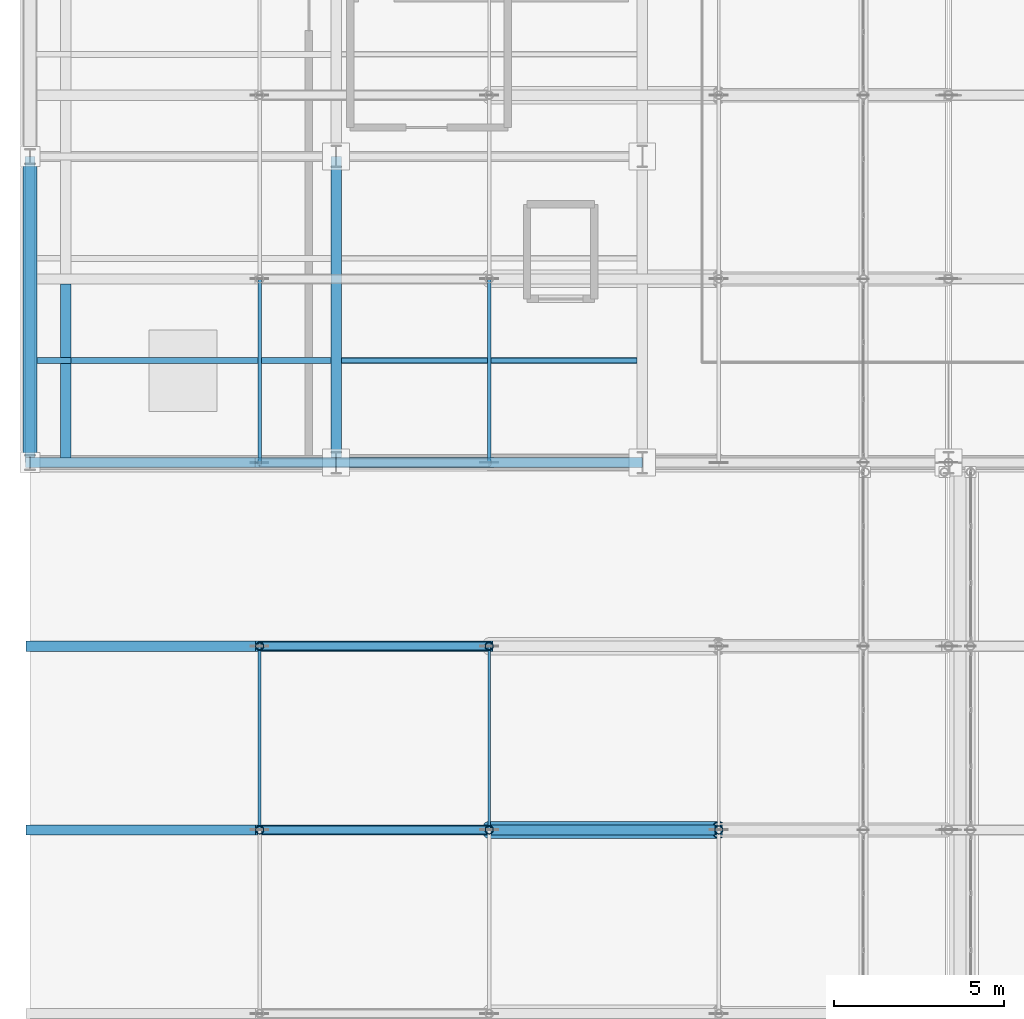
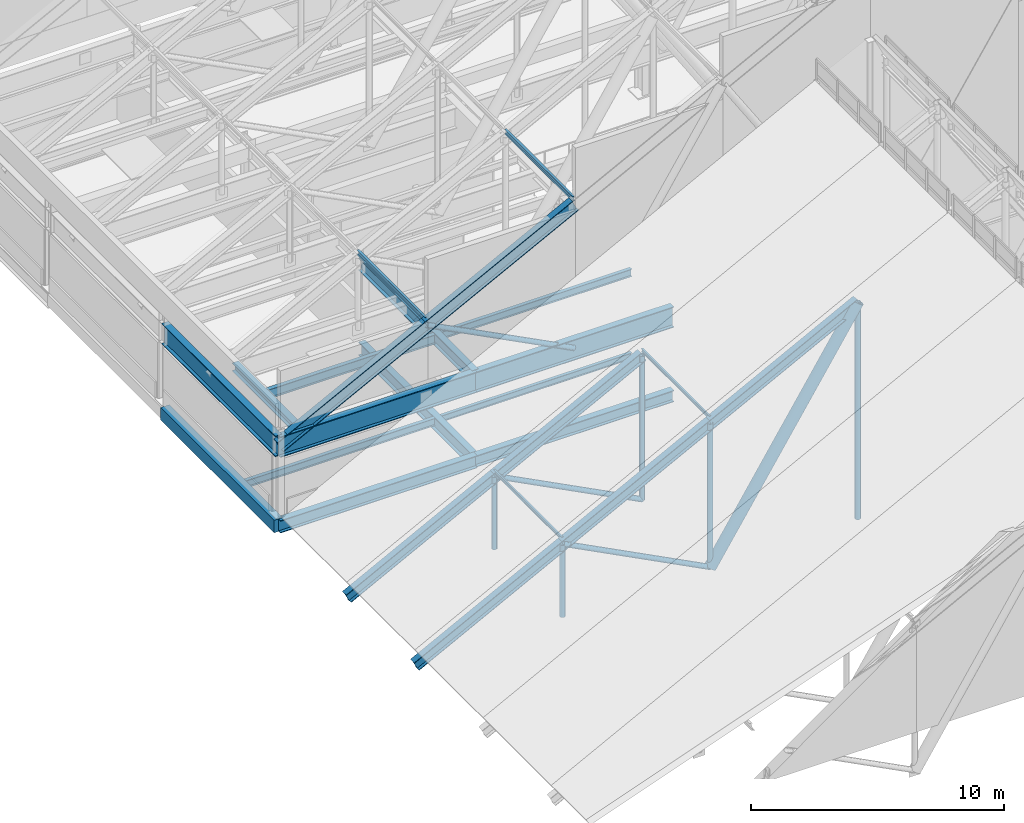
# One storey, part 17 of 84: 20 members, 13 beams.
"""IFC4 building model written with IfcOpenShell, lengths in metres."""

from ifc_helpers import new_model, si_unit, direction, frame, origin, origin_2d, place, context, subcontext, project, spatial, rectangle, hollow_circle, i_section, extrude, material, material_profile, profile_set, type_object, element, save


model = new_model("IFC4")

# Units and contexts
model_context = context("Model", 3, precision=1e-05, world=origin(), true_north=direction((0.0, 1.0)))
body_context = subcontext(model_context, "Body", "Model", "MODEL_VIEW")
ifc_project = project(units=[si_unit("LENGTHUNIT", "METRE"), si_unit("AREAUNIT", "SQUARE_METRE"), si_unit("VOLUMEUNIT", "CUBIC_METRE"), si_unit("PLANEANGLEUNIT", "RADIAN"), si_unit("MASSUNIT", "GRAM", prefix="KILO")], contexts=[model_context])

# Site, building, storey
site_placement = place(None, origin())
site = spatial("IfcSite", under=ifc_project, at=site_placement, CompositionType="ELEMENT")
building_placement = place(site_placement, origin())
building = spatial("IfcBuilding", under=site, at=building_placement, Name="Sundgate Opera House", CompositionType="ELEMENT")
storey_placement = place(building_placement, frame((0.0, 0.0, 30.60009765625)))
storey = spatial("IfcBuildingStorey", under=building, at=storey_placement, Name="L06", CompositionType="ELEMENT", Elevation=30.60009765625)

# Beams
ifc_material_1 = material(Name="Steel S355J2", Category="steel")
ifc_material_profile_1 = material_profile(ifc_material_1, i_section(OverallWidth=0.300048828125, OverallDepth=0.389892578125, WebThickness=0.010986328125, FlangeThickness=0.01904296875, at=origin_2d()), Name="HEA 400")
ifc_profile_set_1 = profile_set([ifc_material_profile_1], Name="Steel S355J2")
beam_type_1 = type_object("IfcBeamType", Name="BM-GR-HEA400", PredefinedType="BEAM", material=ifc_profile_set_1)
beam_1_placement = place(storey_placement, frame((28.050048828125, 60.1298828125, 3.58984375), z_axis=(0.0, 1.0, 0.0), x_axis=(-1.0, 0.0, 0.0)))
element("IfcBeam", 1, at=beam_1_placement, inside=storey, type_object=beam_type_1, Name="L06 Gridiron Deck Edge Girder B3293", PredefinedType="BEAM", context=body_context, shape_type="SweptSolid", body=[
    extrude(i_section(OverallWidth=0.300048828125, OverallDepth=0.389892578125, WebThickness=0.010986328125, FlangeThickness=0.01904296875, at=origin_2d()), origin(), (0.0, 0.0, 1.0), 5.1201171875),
])
ifc_material_2 = material(Name="Steel S355J2", Category="steel")
ifc_material_profile_2 = material_profile(ifc_material_2, i_section(OverallWidth=0.300048828125, OverallDepth=0.550048828125, WebThickness=0.014892578125, FlangeThickness=0.029052734375, at=origin_2d()), Name="HEB 550")
ifc_profile_set_2 = profile_set([ifc_material_profile_2], Name="Steel S355J2")
beam_type_2 = type_object("IfcBeamType", Name="BM-GR-HEB550", PredefinedType="BEAM", material=ifc_profile_set_2)
beam_2_placement = place(storey_placement, frame((36.0, 60.0, -0.53515625), z_axis=(1.0, 0.0, 0.0), x_axis=(0.0, 1.0, 0.0)))
element("IfcBeam", 2, at=beam_2_placement, inside=storey, type_object=beam_type_2, Name="L06 Primary E-W Girder B3219", PredefinedType="BEAM", context=body_context, shape_type="SweptSolid", body=[
    extrude(i_section(OverallWidth=0.300048828125, OverallDepth=0.550048828125, WebThickness=0.014892578125, FlangeThickness=0.029052734375, at=origin_2d()), origin(), (0.0, 0.0, 1.0), 9.0),
])
ifc_material_3 = material(Name="Steel S355J2", Category="steel")
ifc_material_profile_3 = material_profile(ifc_material_3, i_section(OverallWidth=0.300048828125, OverallDepth=0.60009765625, WebThickness=0.015380859375, FlangeThickness=0.030029296875, at=origin_2d()), Name="HEB 600")
ifc_profile_set_3 = profile_set([ifc_material_profile_3], Name="Steel S355J2")
beam_type_3 = type_object("IfcBeamType", Name="BM-GR-HEB600", PredefinedType="BEAM", material=ifc_profile_set_3)
for number, where, z_axis, x_axis, name in (
    (3, (27.0, 60.0, -0.56005859375), (1.0, 0.0, 0.0), (0.0, 1.0, 0.0), "L06 Primary E-W Girder B3218"),
    (4, (36.0, 60.0, 3.5), (0.0, 1.0, 0.0), (-1.0, 0.0, 0.0), "L06 Primary N-S Girder B3270"),
):
    element("IfcBeam", number, at=place(storey_placement, frame(where, z_axis=z_axis, x_axis=x_axis)), inside=storey, type_object=beam_type_3, Name=name, PredefinedType="BEAM", context=body_context, shape_type="SweptSolid", body=[
        extrude(i_section(OverallWidth=0.300048828125, OverallDepth=0.60009765625, WebThickness=0.015380859375, FlangeThickness=0.030029296875, at=origin_2d()), origin(), (0.0, 0.0, 1.0), 9.0),
    ])
ifc_material_4 = material(Name="Steel S355J2", Category="steel")
ifc_material_profile_4 = material_profile(ifc_material_4, i_section(OverallWidth=0.300048828125, OverallDepth=0.64990234375, WebThickness=0.01611328125, FlangeThickness=0.031005859375, at=origin_2d()), Name="HEB 650")
ifc_profile_set_4 = profile_set([ifc_material_profile_4], Name="Steel S355J2")
beam_type_4 = type_object("IfcBeamType", Name="BM-GR-HEB650", PredefinedType="BEAM", material=ifc_profile_set_4)
beam_3_placement = place(storey_placement, frame((36.0, 60.0, -0.585205078125), z_axis=(0.0, 1.0, 0.0), x_axis=(-1.0, 0.0, 0.0)))
element("IfcBeam", 5, at=beam_3_placement, inside=storey, type_object=beam_type_4, Name="L06 Primary N-S Girder B3195", PredefinedType="BEAM", context=body_context, shape_type="SweptSolid", body=[
    extrude(i_section(OverallWidth=0.300048828125, OverallDepth=0.64990234375, WebThickness=0.01611328125, FlangeThickness=0.031005859375, at=origin_2d()), origin(), (0.0, 0.0, 1.0), 9.0),
])
ifc_material_5 = material(Name="Steel S355J2", Category="steel")
ifc_material_profile_5 = material_profile(ifc_material_5, i_section(OverallWidth=0.14990234375, OverallDepth=0.300048828125, WebThickness=0.007080078125, FlangeThickness=0.0107421875, at=origin_2d()), Name="IPE 300")
ifc_profile_set_5 = profile_set([ifc_material_profile_5], Name="Steel S355J2")
beam_type_5 = type_object("IfcBeamType", Name="BM-JS-IPE300", PredefinedType="JOIST", material=ifc_profile_set_5)
beam_4_placement = place(storey_placement, frame((36.14990234375, 63.0, -0.41015625), z_axis=(1.0, 0.0, 0.0), x_axis=(0.0, 1.0, 0.0)))
element("IfcBeam", 6, at=beam_4_placement, inside=storey, type_object=beam_type_5, Name="L06 Secondary Floor Joist B3246", PredefinedType="JOIST", context=body_context, shape_type="SweptSolid", body=[
    extrude(i_section(OverallWidth=0.14990234375, OverallDepth=0.300048828125, WebThickness=0.007080078125, FlangeThickness=0.0107421875, at=origin_2d()), origin(), (0.0, 0.0, 1.0), 8.7001953125),
])
ifc_material_6 = material(Name="Steel S355J2", Category="steel")
ifc_material_profile_6 = material_profile(ifc_material_6, i_section(OverallWidth=0.169921875, OverallDepth=0.360107421875, WebThickness=0.008056640625, FlangeThickness=0.0126953125, at=origin_2d()), Name="IPE 360")
ifc_profile_set_6 = profile_set([ifc_material_profile_6], Name="Steel S355J2")
beam_type_6 = type_object("IfcBeamType", Name="BM-JS-IPE360", PredefinedType="JOIST", material=ifc_profile_set_6)
beam_5_placement = place(storey_placement, frame((27.199951171875, 63.0, -0.440185546875), z_axis=(1.0, 0.0, 0.0), x_axis=(0.0, 1.0, 0.0)))
element("IfcBeam", 7, at=beam_5_placement, inside=storey, type_object=beam_type_6, Name="L06 Secondary Floor Joist B3244", PredefinedType="JOIST", context=body_context, shape_type="SweptSolid", body=[
    extrude(i_section(OverallWidth=0.169921875, OverallDepth=0.360107421875, WebThickness=0.008056640625, FlangeThickness=0.0126953125, at=origin_2d()), origin(), (0.0, 0.0, 1.0), 8.650146484375),
])
beam_6_placement = place(storey_placement, frame((36.14990234375, 63.0, 3.619873046875), z_axis=(1.0, 0.0, 0.0), x_axis=(0.0, 1.0, 0.0)))
element("IfcBeam", 8, at=beam_6_placement, inside=storey, type_object=beam_type_6, Name="L06 Secondary Floor Joist B3309", PredefinedType="JOIST", context=body_context, shape_type="SweptSolid", body=[
    extrude(i_section(OverallWidth=0.169921875, OverallDepth=0.360107421875, WebThickness=0.008056640625, FlangeThickness=0.0126953125, at=origin_2d()), origin(), (0.0, 0.0, 1.0), 8.7001953125),
])
ifc_material_7 = material(Name="Steel S355J2", Category="steel")
ifc_material_profile_7 = material_profile(ifc_material_7, i_section(OverallWidth=0.18994140625, OverallDepth=0.449951171875, WebThickness=0.009521484375, FlangeThickness=0.0146484375, at=origin_2d()), Name="IPE 450")
ifc_profile_set_7 = profile_set([ifc_material_profile_7], Name="Steel S355J2")
beam_type_7 = type_object("IfcBeamType", Name="BM-JS-IPE450", PredefinedType="JOIST", material=ifc_profile_set_7)
beam_7_placement = place(storey_placement, frame((28.199951171875, 63.0, 3.559814453125), z_axis=(1.0, 0.0, 0.0), x_axis=(0.0, 1.0, 0.0)))
element("IfcBeam", 9, at=beam_7_placement, inside=storey, type_object=beam_type_7, Name="L06 Secondary Floor Joist B3307", PredefinedType="JOIST", context=body_context, shape_type="SweptSolid", body=[
    extrude(i_section(OverallWidth=0.18994140625, OverallDepth=0.449951171875, WebThickness=0.009521484375, FlangeThickness=0.0146484375, at=origin_2d()), origin(), (0.0, 0.0, 1.0), 7.650146484375),
])
ifc_material_8 = material(Name="Concrete C35/45", Category="concrete")
ifc_material_profile_8 = material_profile(ifc_material_8, rectangle(XDim=0.39990234375, YDim=0.60009765625, at=origin_2d()), Name="RC 400x600")
ifc_profile_set_8 = profile_set([ifc_material_profile_8], Name="Concrete C35/45")
beam_type_8 = type_object("IfcBeamType", Name="BM-RC-400x600", PredefinedType="BEAM", material=ifc_profile_set_8)
beam_8_placement = place(storey_placement, frame((27.0, 60.0, -0.56005859375), z_axis=(0.0, 1.0, 0.0), x_axis=(-1.0, 0.0, 0.0)))
element("IfcBeam", 10, at=beam_8_placement, inside=storey, type_object=beam_type_8, Name="L06 Primary N-S Girder B3192", PredefinedType="BEAM", context=body_context, shape_type="SweptSolid", body=[
    extrude(rectangle(XDim=0.39990234375, YDim=0.60009765625, at=origin_2d()), origin(), (0.0, 0.0, 1.0), 9.0),
])
ifc_material_9 = material(Name="Steel S355ML", Category="steel")
ifc_material_profile_9 = material_profile(ifc_material_9, i_section(OverallWidth=0.300048828125, OverallDepth=1.0, WebThickness=0.01904296875, FlangeThickness=0.035888671875, at=origin_2d()), Name="HEB 1000")
ifc_profile_set_9 = profile_set([ifc_material_profile_9], Name="Steel S355ML")
beam_type_9 = type_object("IfcBeamType", Name="BM-TR-HEB1000", PredefinedType="BEAM", material=ifc_profile_set_9)
for number, where, z_axis, x_axis, name in (
    (11, (27.0, 60.0, 3.289794921875), (1.0, 0.0, 0.0), (0.0, 1.0, 0.0), "L06 Fly-Tower Step Gable Girder B3361"),
    (12, (36.0, 60.0, 3.289794921875), (1.0, 0.0, 0.0), (0.0, 1.0, 0.0), "L06 Fly-Tower Step Gable Girder B3362"),
    (13, (27.0, 60.0, 3.289794921875), (0.0, 1.0, 0.0), (-1.0, 0.0, 0.0), "L06 Fly-Tower Eaves Collector Girder B3377"),
):
    element("IfcBeam", number, at=place(storey_placement, frame(where, z_axis=z_axis, x_axis=x_axis)), inside=storey, type_object=beam_type_9, Name=name, PredefinedType="BEAM", context=body_context, shape_type="SweptSolid", body=[
        extrude(i_section(OverallWidth=0.300048828125, OverallDepth=1.0, WebThickness=0.01904296875, FlangeThickness=0.035888671875, at=origin_2d()), origin(), (0.0, 0.0, 1.0), 9.0),
    ])

# Members
ifc_material_10 = material(Name="Steel S355J2", Category="steel")
ifc_material_profile_10 = material_profile(ifc_material_10, hollow_circle(Radius=0.122314453125, WallThickness=0.012451171875, at=origin_2d()), Name="CHS 244.5x12.5")
ifc_profile_set_10 = profile_set([ifc_material_profile_10], Name="Steel S355J2")
member_type_1 = type_object("IfcMemberType", Name="MB-BRC-CHS244", PredefinedType="BRACE", material=ifc_profile_set_10)
for number, where, z_axis, x_axis, name in (
    (14, (40.5, 49.199951171875, -0.760009765625), (-0.88829222652, 0.0, 0.459278695678), (0.0, -1.0, 0.0), "L06 Auditorium Warren Web Diagonal M0092"),
    (15, (40.5, 54.60009765625, -0.760009765625), (-0.88829222652, 0.0, 0.459278695678), (0.0, -1.0, 0.0), "L06 Auditorium Warren Web Diagonal M0107"),
):
    element("IfcMember", number, at=place(storey_placement, frame(where, z_axis=z_axis, x_axis=x_axis)), inside=storey, type_object=member_type_1, Name=name, PredefinedType="BRACE", context=body_context, shape_type="SweptSolid", body=[
        extrude(hollow_circle(Radius=0.122314453125, WallThickness=0.012451171875, at=origin_2d()), origin(), (0.0, 0.0, 1.0), 7.598876953125),
    ])
member_1_placement = place(storey_placement, frame((40.5, 60.0, 3.289794921875), z_axis=(-0.888960276237, 0.0, 0.457984308981), x_axis=(0.0, -1.0, 0.0)))
element("IfcMember", 16, at=member_1_placement, inside=storey, type_object=member_type_1, Name="L06 Fly-Tower Warren Web Diagonal M0122", PredefinedType="BRACE", context=body_context, shape_type="SweptSolid", body=[
    extrude(hollow_circle(Radius=0.122314453125, WallThickness=0.012451171875, at=origin_2d()), origin(), (0.0, 0.0, 1.0), 7.59326171875),
])
ifc_material_11 = material(Name="Steel S355J2", Category="steel")
ifc_material_profile_11 = material_profile(ifc_material_11, i_section(OverallWidth=0.300048828125, OverallDepth=0.5, WebThickness=0.014404296875, FlangeThickness=0.028076171875, at=origin_2d()), Name="HEB 500")
ifc_profile_set_11 = profile_set([ifc_material_profile_11], Name="Steel S355J2")
member_type_2 = type_object("IfcMemberType", Name="MB-CHORD-HEB500", PredefinedType="CHORD", material=ifc_profile_set_11)
for number, where, z_axis, x_axis, name in (
    (17, (27.0, 49.199951171875, -0.760009765625), (0.88829222652, 0.0, 0.459278695678), (0.0, 1.0, 0.0), "L06 Auditorium Truss Top Chord M0090"),
    (18, (33.75, 49.199951171875, 2.72998046875), (0.88829222652, 0.0, 0.459278695678), (0.0, 1.0, 0.0), "L06 Auditorium Truss Top Chord M0091"),
    (19, (40.5, 49.199951171875, 6.219970703125), (0.88829222652, 0.0, 0.459278695678), (0.0, 1.0, 0.0), "L06 Auditorium Truss Top Chord M0093"),
    (20, (27.0, 54.60009765625, -0.760009765625), (0.88829222652, 0.0, 0.459278695678), (0.0, 1.0, 0.0), "L06 Auditorium Truss Top Chord M0105"),
    (21, (33.75, 54.60009765625, 2.72998046875), (0.88829222652, 0.0, 0.459278695678), (0.0, 1.0, 0.0), "L06 Auditorium Truss Top Chord M0106"),
):
    element("IfcMember", number, at=place(storey_placement, frame(where, z_axis=z_axis, x_axis=x_axis)), inside=storey, type_object=member_type_2, Name=name, PredefinedType="CHORD", context=body_context, shape_type="SweptSolid", body=[
        extrude(i_section(OverallWidth=0.300048828125, OverallDepth=0.5, WebThickness=0.014404296875, FlangeThickness=0.028076171875, at=origin_2d()), origin(), (0.0, 0.0, 1.0), 7.598876953125),
    ])
ifc_material_12 = material(Name="Steel S355J2", Category="steel")
ifc_material_profile_12 = material_profile(ifc_material_12, i_section(OverallWidth=0.300048828125, OverallDepth=0.60009765625, WebThickness=0.015380859375, FlangeThickness=0.030029296875, at=origin_2d()), Name="HEB 600")
ifc_profile_set_12 = profile_set([ifc_material_profile_12], Name="Steel S355J2")
member_type_3 = type_object("IfcMemberType", Name="MB-CHORD-HEB600", PredefinedType="CHORD", material=ifc_profile_set_12)
for number, where, z_axis, x_axis, name in (
    (22, (27.0, 60.0, 3.289794921875), (0.888960276237, 0.0, 0.457984308981), (0.0, 1.0, 0.0), "L06 Fly-Tower Truss Top Chord M0120"),
    (23, (33.75, 60.0, 6.767333984375), (0.888960276237, 0.0, 0.457984308981), (0.0, 1.0, 0.0), "L06 Fly-Tower Truss Top Chord M0121"),
):
    element("IfcMember", number, at=place(storey_placement, frame(where, z_axis=z_axis, x_axis=x_axis)), inside=storey, type_object=member_type_3, Name=name, PredefinedType="CHORD", context=body_context, shape_type="SweptSolid", body=[
        extrude(i_section(OverallWidth=0.300048828125, OverallDepth=0.60009765625, WebThickness=0.015380859375, FlangeThickness=0.030029296875, at=origin_2d()), origin(), (0.0, 0.0, 1.0), 7.59326171875),
    ])
ifc_material_13 = material(Name="Steel S355J2", Category="steel")
ifc_material_profile_13 = material_profile(ifc_material_13, i_section(OverallWidth=0.08203125, OverallDepth=0.159912109375, WebThickness=0.0048828125, FlangeThickness=0.00732421875, at=origin_2d()), Name="IPE 160")
ifc_profile_set_13 = profile_set([ifc_material_profile_13], Name="Steel S355J2")
member_type_4 = type_object("IfcMemberType", Name="MB-PUR-IPE160", PredefinedType="PURLIN", material=ifc_profile_set_13)
for number, where, z_axis, x_axis, name in (
    (24, (33.75, 49.199951171875, 2.974853515625), (0.0, 1.0, 0.0), (-1.0, 0.0, 0.0), "V1 Roof Purlin M0242"),
    (25, (40.5, 49.199951171875, 6.46484375), (0.0, 1.0, 0.0), (-1.0, 0.0, 0.0), "V1 Roof Purlin M0243"),
):
    element("IfcMember", number, at=place(storey_placement, frame(where, z_axis=z_axis, x_axis=x_axis)), inside=storey, type_object=member_type_4, Name=name, PredefinedType="PURLIN", context=body_context, shape_type="SweptSolid", body=[
        extrude(i_section(OverallWidth=0.08203125, OverallDepth=0.159912109375, WebThickness=0.0048828125, FlangeThickness=0.00732421875, at=origin_2d()), origin(), (0.0, 0.0, 1.0), 5.400146484375),
    ])
ifc_material_14 = material(Name="Steel S355J2", Category="steel")
ifc_material_profile_14 = material_profile(ifc_material_14, i_section(OverallWidth=0.110107421875, OverallDepth=0.219970703125, WebThickness=0.005859375, FlangeThickness=0.00927734375, at=origin_2d()), Name="IPE 220")
ifc_profile_set_14 = profile_set([ifc_material_profile_14], Name="Steel S355J2")
member_type_5 = type_object("IfcMemberType", Name="MB-PUR-IPE220", PredefinedType="PURLIN", material=ifc_profile_set_14)
for number, where, z_axis, x_axis, name in (
    (26, (33.75, 60.0, 7.012451171875), (0.0, 1.0, 0.0), (-1.0, 0.0, 0.0), "V1 Roof Purlin M0246"),
    (27, (40.5, 60.0, 10.489990234375), (0.0, 1.0, 0.0), (-1.0, 0.0, 0.0), "V1 Roof Purlin M0247"),
):
    element("IfcMember", number, at=place(storey_placement, frame(where, z_axis=z_axis, x_axis=x_axis)), inside=storey, type_object=member_type_5, Name=name, PredefinedType="PURLIN", context=body_context, shape_type="SweptSolid", body=[
        extrude(i_section(OverallWidth=0.110107421875, OverallDepth=0.219970703125, WebThickness=0.005859375, FlangeThickness=0.00927734375, at=origin_2d()), origin(), (0.0, 0.0, 1.0), 5.39990234375),
    ])
ifc_material_15 = material(Name="Steel S355J2", Category="steel")
ifc_material_profile_15 = material_profile(ifc_material_15, hollow_circle(Radius=0.122314453125, WallThickness=0.012451171875, at=origin_2d()), Name="CHS 244.5x12.5")
ifc_profile_set_15 = profile_set([ifc_material_profile_15], Name="Steel S355J2")
member_type_6 = type_object("IfcMemberType", Name="MB-STRUT-CHS244", PredefinedType="STRUT", material=ifc_profile_set_15)
member_2_placement = place(storey_placement, frame((33.75, 49.199951171875, -0.760009765625), z_axis=(0.0, 0.0, 1.0), x_axis=(1.0, 0.0, 0.0)))
element("IfcMember", 28, at=member_2_placement, inside=storey, type_object=member_type_6, Name="L06 Auditorium Truss Vertical Post M0100", PredefinedType="STRUT", context=body_context, shape_type="SweptSolid", body=[
    extrude(hollow_circle(Radius=0.122314453125, WallThickness=0.012451171875, at=origin_2d()), origin(), (0.0, 0.0, 1.0), 3.489990234375),
])
member_3_placement = place(storey_placement, frame((40.5, 49.199951171875, -0.760009765625), z_axis=(0.0, 0.0, 1.0), x_axis=(1.0, 0.0, 0.0)))
element("IfcMember", 29, at=member_3_placement, inside=storey, type_object=member_type_6, Name="L06 Auditorium Truss Vertical Post M0101", PredefinedType="STRUT", context=body_context, shape_type="SweptSolid", body=[
    extrude(hollow_circle(Radius=0.122314453125, WallThickness=0.012451171875, at=origin_2d()), origin(), (0.0, 0.0, 1.0), 6.97998046875),
])
member_4_placement = place(storey_placement, frame((47.25, 49.199951171875, -0.760009765625), z_axis=(0.0, 0.0, 1.0), x_axis=(1.0, 0.0, 0.0)))
element("IfcMember", 30, at=member_4_placement, inside=storey, type_object=member_type_6, Name="L06 Auditorium Truss Vertical Post M0102", PredefinedType="STRUT", context=body_context, shape_type="SweptSolid", body=[
    extrude(hollow_circle(Radius=0.122314453125, WallThickness=0.012451171875, at=origin_2d()), origin(), (0.0, 0.0, 1.0), 10.469970703125),
])
member_5_placement = place(storey_placement, frame((33.75, 54.60009765625, -0.760009765625), z_axis=(0.0, 0.0, 1.0), x_axis=(1.0, 0.0, 0.0)))
element("IfcMember", 31, at=member_5_placement, inside=storey, type_object=member_type_6, Name="L06 Auditorium Truss Vertical Post M0115", PredefinedType="STRUT", context=body_context, shape_type="SweptSolid", body=[
    extrude(hollow_circle(Radius=0.122314453125, WallThickness=0.012451171875, at=origin_2d()), origin(), (0.0, 0.0, 1.0), 3.489990234375),
])
member_6_placement = place(storey_placement, frame((40.5, 54.60009765625, -0.760009765625), z_axis=(0.0, 0.0, 1.0), x_axis=(1.0, 0.0, 0.0)))
element("IfcMember", 32, at=member_6_placement, inside=storey, type_object=member_type_6, Name="L06 Auditorium Truss Vertical Post M0116", PredefinedType="STRUT", context=body_context, shape_type="SweptSolid", body=[
    extrude(hollow_circle(Radius=0.122314453125, WallThickness=0.012451171875, at=origin_2d()), origin(), (0.0, 0.0, 1.0), 6.97998046875),
])
ifc_material_16 = material(Name="Steel S355ML", Category="steel")
ifc_material_profile_16 = material_profile(ifc_material_16, hollow_circle(Radius=0.25390625, WallThickness=0.02490234375, at=origin_2d()), Name="CHS 508x25.0")
ifc_profile_set_16 = profile_set([ifc_material_profile_16], Name="Steel S355ML")
member_type_7 = type_object("IfcMemberType", Name="MB-STRUT-CHS508", PredefinedType="STRUT", material=ifc_profile_set_16)
member_7_placement = place(storey_placement, frame((40.5, 49.199951171875, -0.760009765625), z_axis=(0.541853645841, 0.0, 0.840472858865), x_axis=(0.0, 1.0, 0.0)))
element("IfcMember", 33, at=member_7_placement, inside=storey, type_object=member_type_7, Name="L06 Auditorium Warren Web Strut M0094", PredefinedType="STRUT", context=body_context, shape_type="SweptSolid", body=[
    extrude(hollow_circle(Radius=0.25390625, WallThickness=0.02490234375, at=origin_2d()), origin(), (0.0, 0.0, 1.0), 12.457275390625),
])

save(model, "model.ifc")
